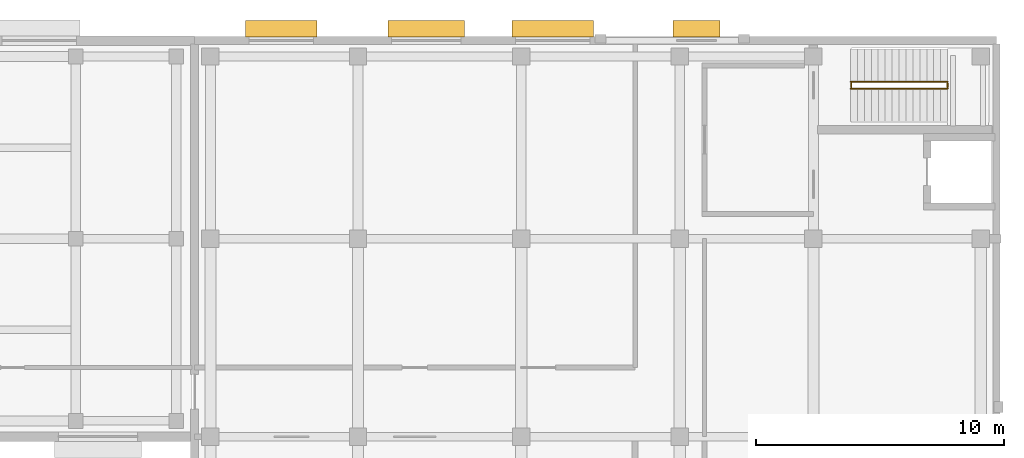
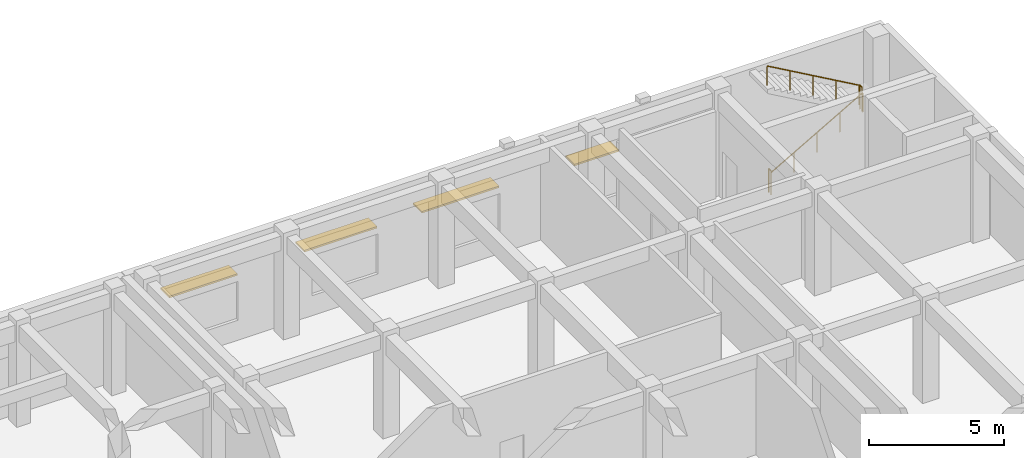
# One storey, part 74 of 76: 4 railings, 4 shading devices.
"""IFC4 building model written with IfcOpenShell, lengths in metres."""

from ifc_helpers import new_model, si_unit, direction, frame, origin, origin_2d, place, context, subcontext, project, spatial, rectangle, circle, extrude, material, type_object, element, save


model = new_model("IFC4")

# Units and contexts
model_context = context("Model", 3, precision=1e-05, world=origin(), true_north=direction((0.0, 1.0)))
body_context = subcontext(model_context, "Body", "Model", "MODEL_VIEW")
ifc_project = project(units=[si_unit("LENGTHUNIT", "METRE"), si_unit("AREAUNIT", "SQUARE_METRE"), si_unit("VOLUMEUNIT", "CUBIC_METRE"), si_unit("PLANEANGLEUNIT", "RADIAN"), si_unit("MASSUNIT", "GRAM", prefix="KILO")], contexts=[model_context])

# Site, building, storey
site_placement = place(None, origin())
site = spatial("IfcSite", under=ifc_project, at=site_placement, CompositionType="ELEMENT")
building_placement = place(site_placement, origin())
building = spatial("IfcBuilding", under=site, at=building_placement, Name="Cinchona Park Media Centre", CompositionType="ELEMENT")
storey_placement = place(building_placement, frame((0.0, 0.0, 15.60009765625)))
storey = spatial("IfcBuildingStorey", under=building, at=storey_placement, Name="L03", CompositionType="ELEMENT", Elevation=15.60009765625)

# Railings
ifc_material_1 = material(Name="Painted Steel Stairwell Guardrail", Category="steel")
railing_type_1 = type_object("IfcRailingType", Name="RAILING-GR02", PredefinedType="GUARDRAIL", material=ifc_material_1)
for number, where, name in (
    (1, (166.135009765625, 116.1201171875, 0.0), "Stairwell Guardrail GR02 ST2 L03"),
    (2, (170.02001953125, 116.1201171875, 2.39990234375), "Half-Landing Guardrail GR02 ST2 L03"),
):
    element("IfcRailing", number, at=place(storey_placement, frame(where)), inside=storey, type_object=railing_type_1, Name=name, PredefinedType="GUARDRAIL", context=body_context, shape_type="SweptSolid", body=[
        extrude(circle(Radius=0.02392578125, at=origin_2d()), frame((0.0, 0.0, 1.076171875), z_axis=(0.0, 1.0, 0.0), x_axis=(-1.0, 0.0, 0.0)), (0.0, 0.0, 1.0), 0.159912109375),
        extrude(circle(Radius=0.02099609375, at=origin_2d()), origin(), (0.0, 0.0, 1.0), 1.052001953125),
        extrude(circle(Radius=0.02099609375, at=origin_2d()), frame((0.0, 0.159912109375, 0.0)), (0.0, 0.0, 1.0), 1.052001953125),
    ])
ifc_material_2 = material(Name="Brushed Stainless Steel Handrail", Category="steel")
railing_type_2 = type_object("IfcRailingType", Name="RAILING-HR01", PredefinedType="HANDRAIL", material=ifc_material_2)
railing_1_placement = place(storey_placement, frame((166.10009765625, 116.06005859375, 0.159912109375)))
element("IfcRailing", 3, at=railing_1_placement, inside=storey, type_object=railing_type_2, Name="Stair Handrail HR01 ST2 L03 F1", PredefinedType="HANDRAIL", context=body_context, shape_type="SweptSolid", body=[
    extrude(circle(Radius=0.02392578125, at=origin_2d()), frame((0.0, 0.0, 0.8759765625), z_axis=(0.868239814368, 0.0, 0.496144761885), x_axis=(0.0, 1.0, 0.0)), (0.0, 0.0, 1.0), 4.514892578125),
    extrude(circle(Radius=0.02099609375, at=origin_2d()), origin(), (0.0, 0.0, 1.0), 0.851806640625),
    extrude(circle(Radius=0.02099609375, at=origin_2d()), frame((0.97998046875, 0.0, 0.56005859375)), (0.0, 0.0, 1.0), 0.851806640625),
    extrude(circle(Radius=0.02099609375, at=origin_2d()), frame((1.9599609375, 0.0, 1.1201171875)), (0.0, 0.0, 1.0), 0.851806640625),
    extrude(circle(Radius=0.02099609375, at=origin_2d()), frame((2.93994140625, 0.0, 1.679931640625)), (0.0, 0.0, 1.0), 0.851806640625),
    extrude(circle(Radius=0.02099609375, at=origin_2d()), frame((3.919921875, 0.0, 2.239990234375)), (0.0, 0.0, 1.0), 0.851806640625),
])
railing_2_placement = place(storey_placement, frame((170.02001953125, 116.340087890625, 2.559814453125)))
element("IfcRailing", 4, at=railing_2_placement, inside=storey, type_object=railing_type_2, Name="Stair Handrail HR01 ST2 L03 F2", PredefinedType="HANDRAIL", context=body_context, shape_type="SweptSolid", body=[
    extrude(circle(Radius=0.02392578125, at=origin_2d()), frame((0.0, 0.0, 0.8759765625), z_axis=(-0.868239814368, 0.0, 0.496144761885), x_axis=(0.0, -1.0, 0.0)), (0.0, 0.0, 1.0), 4.514892578125),
    extrude(circle(Radius=0.02099609375, at=origin_2d()), origin(), (0.0, 0.0, 1.0), 0.851806640625),
    extrude(circle(Radius=0.02099609375, at=origin_2d()), frame((-0.97998046875, 0.0, 0.56005859375)), (0.0, 0.0, 1.0), 0.851806640625),
    extrude(circle(Radius=0.02099609375, at=origin_2d()), frame((-1.9599609375, 0.0, 1.1201171875)), (0.0, 0.0, 1.0), 0.851806640625),
    extrude(circle(Radius=0.02099609375, at=origin_2d()), frame((-2.93994140625, 0.0, 1.679931640625)), (0.0, 0.0, 1.0), 0.851806640625),
    extrude(circle(Radius=0.02099609375, at=origin_2d()), frame((-3.919921875, 0.0, 2.239990234375)), (0.0, 0.0, 1.0), 0.851806640625),
])

# Shading devices
ifc_material_3 = material(Name="Anodised Aluminium Horizontal Brise-Soleil", Category="aluminium")
shading_device_type = type_object("IfcShadingDeviceType", Name="SHADING-SUN01", PredefinedType="AWNING", material=ifc_material_3)
shading_device_1_placement = place(storey_placement, frame((143.10009765625, 118.47998046875, 2.669921875), z_axis=(0.0, 0.0, 1.0), x_axis=(1.0, 0.0, 0.0)))
element("IfcShadingDevice", 5, at=shading_device_1_placement, inside=storey, type_object=shading_device_type, Name="Horizontal Sunshade SHD02 L03", PredefinedType="AWNING", context=body_context, shape_type="SweptSolid", body=[
    extrude(rectangle(XDim=2.89990234375, YDim=0.64990234375, at=origin_2d()), origin(), (0.0, 0.0, 1.0), 0.080078125),
])
shading_device_2_placement = place(storey_placement, frame((148.9599609375, 118.47998046875, 2.719970703125), z_axis=(0.0, 0.0, 1.0), x_axis=(1.0, 0.0, 0.0)))
element("IfcShadingDevice", 6, at=shading_device_2_placement, inside=storey, type_object=shading_device_type, Name="Horizontal Sunshade SHD02 L03", PredefinedType="AWNING", context=body_context, shape_type="SweptSolid", body=[
    extrude(rectangle(XDim=3.10009765625, YDim=0.64990234375, at=origin_2d()), origin(), (0.0, 0.0, 1.0), 0.080078125),
])
shading_device_3_placement = place(storey_placement, frame((154.070068359375, 118.47998046875, 2.719970703125), z_axis=(0.0, 0.0, 1.0), x_axis=(1.0, 0.0, 0.0)))
element("IfcShadingDevice", 7, at=shading_device_3_placement, inside=storey, type_object=shading_device_type, Name="Horizontal Sunshade SHD02 L03", PredefinedType="AWNING", context=body_context, shape_type="SweptSolid", body=[
    extrude(rectangle(XDim=3.300048828125, YDim=0.64990234375, at=origin_2d()), origin(), (0.0, 0.0, 1.0), 0.080078125),
])
shading_device_4_placement = place(storey_placement, frame((159.8798828125, 118.47998046875, 2.56982421875), z_axis=(0.0, 0.0, 1.0), x_axis=(1.0, 0.0, 0.0)))
element("IfcShadingDevice", 8, at=shading_device_4_placement, inside=storey, type_object=shading_device_type, Name="Horizontal Sunshade SHD02 L03", PredefinedType="AWNING", context=body_context, shape_type="SweptSolid", body=[
    extrude(rectangle(XDim=1.89990234375, YDim=0.64990234375, at=origin_2d()), origin(), (0.0, 0.0, 1.0), 0.080078125),
])

save(model, "model.ifc")
